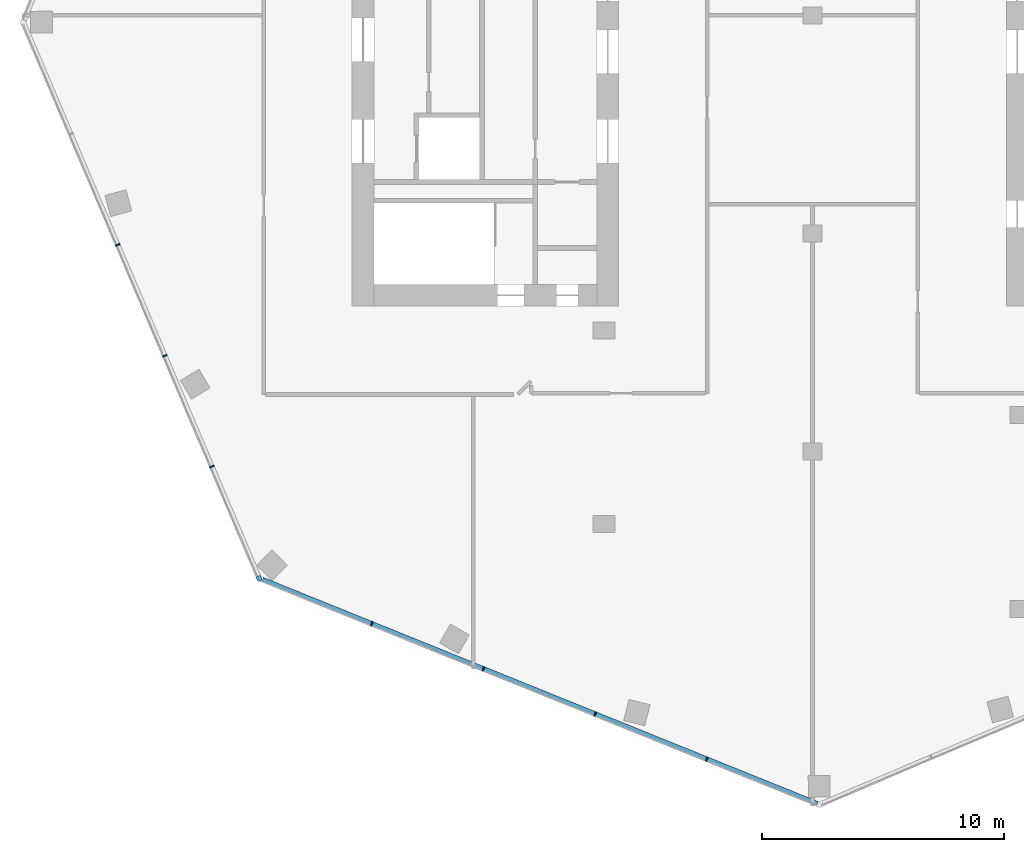
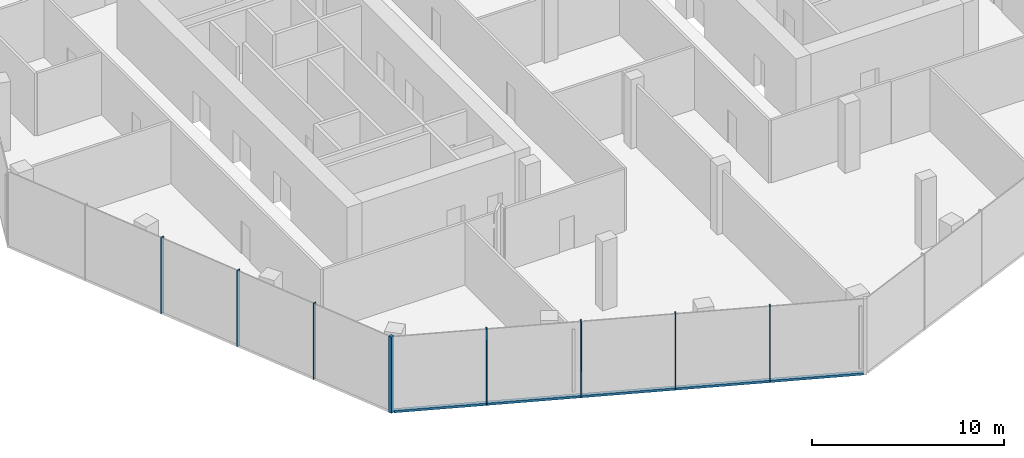
# One storey, part 2 of 15: 9 members, 2 elements without a shape of their own.
"""IFC4 building model written with IfcOpenShell, lengths in metres."""

import ifcopenshell
import ifcopenshell.guid

model = None  # the IFC model being written
_history = None  # IfcOwnerHistory: only IFC2X3 demands one
_inside = {}  # id of a spatial element -> (the spatial element, [elements in it])
_under = {}  # id of a project, library or spatial element -> (it, [spatial elements below it])
_declared = {}  # id of a project -> (the project, [libraries it declares])
_typed = {}  # id of a type object -> (the type object, [elements of that type])
_made_of = {}  # id of a material, layer set ... -> (it, [elements and type objects made of it])


def new_model(schema):
    """Start an empty IFC model of exactly this schema.

    Asked for "IFC4X3", IfcOpenShell would pick the latest addendum, in which some entities
    have other attributes; the version numbers below select the first issue.
    IFC2X3 requires an IfcOwnerHistory on every rooted entity: one is made here for all.
    """
    global model, _history
    if schema == "IFC4X3":
        model = ifcopenshell.file(schema_version=(4, 3, 0, 0))
    else:
        model = ifcopenshell.file(schema=schema)
    _inside.clear()
    _under.clear()
    _declared.clear()
    _typed.clear()
    _made_of.clear()
    _history = None
    if model.schema == "IFC2X3":
        org = make("IfcOrganization", Name="unknown")
        user = make(
            "IfcPersonAndOrganization",
            ThePerson=make("IfcPerson", FamilyName="unknown"),
            TheOrganization=org,
        )
        app = make(
            "IfcApplication",
            ApplicationDeveloper=org,
            Version="unknown",
            ApplicationFullName="unknown",
            ApplicationIdentifier="unknown",
        )
        _history = make(
            "IfcOwnerHistory",
            OwningUser=user,
            OwningApplication=app,
            ChangeAction="ADDED",
            CreationDate=0,
        )
    return model


def make(cls, **values):
    """One entity of the class cls with the attributes given. An attribute that is None is left unset."""
    return model.create_entity(
        cls, **{name: value for name, value in values.items() if value is not None}
    )


def rooted(cls, **values):
    """An entity with a GlobalId (a new one), such as an element, a storey or a relation."""
    return make(cls, GlobalId=ifcopenshell.guid.new(), OwnerHistory=_history, **values)


def si_unit(unit_type, name, prefix=None):
    """IfcSIUnit, for example si_unit("LENGTHUNIT", "METRE", prefix="MILLI")."""
    return make("IfcSIUnit", UnitType=unit_type, Prefix=prefix, Name=name)


def assignment(units):
    """IfcUnitAssignment: the units of a project."""
    return None if units is None else make("IfcUnitAssignment", Units=units)


def point(xyz):
    """IfcCartesianPoint."""
    return None if xyz is None else make("IfcCartesianPoint", Coordinates=xyz)


def direction(xyz):
    """IfcDirection."""
    return None if xyz is None else make("IfcDirection", DirectionRatios=xyz)


def frame(location, z_axis=None, x_axis=None):
    """IfcAxis2Placement3D, a coordinate frame: its origin and axes. An axis left out is left unset."""
    return make(
        "IfcAxis2Placement3D",
        Location=point(location),
        Axis=direction(z_axis),
        RefDirection=direction(x_axis),
    )


def frame_2d(location, x_axis=None):
    """IfcAxis2Placement2D, a coordinate frame in the plane: its origin and x axis."""
    return make(
        "IfcAxis2Placement2D", Location=point(location), RefDirection=direction(x_axis)
    )


def origin():
    """The frame at (0, 0, 0) with its axes left unset."""
    return frame((0.0, 0.0, 0.0))


def origin_2d():
    """The frame at (0, 0) in the plane with its x axis left unset."""
    return frame_2d((0.0, 0.0))


def place(relative_to, where):
    """IfcLocalPlacement: puts the frame where relative to a parent placement (None: the world)."""
    return make(
        "IfcLocalPlacement", PlacementRelTo=relative_to, RelativePlacement=where
    )


def context(
    kind, dimensions, precision=None, world=None, true_north=None, identifier=None
):
    """IfcGeometricRepresentationContext, for example the 3D "Model" context."""
    return make(
        "IfcGeometricRepresentationContext",
        ContextIdentifier=identifier,
        ContextType=kind,
        CoordinateSpaceDimension=dimensions,
        Precision=precision,
        WorldCoordinateSystem=world,
        TrueNorth=true_north,
    )


def subcontext(parent, identifier, kind, view, scale=None):
    """IfcGeometricRepresentationSubContext, for example "Body" below "Model"."""
    return make(
        "IfcGeometricRepresentationSubContext",
        ContextIdentifier=identifier,
        ContextType=kind,
        ParentContext=parent,
        TargetScale=scale,
        TargetView=view,
    )


def project(units=None, contexts=None):
    """IfcProject with its units and contexts."""
    return rooted(
        "IfcProject",
        Name="project",
        RepresentationContexts=contexts,
        UnitsInContext=assignment(units),
    )


def spatial(cls, under=None, at=None, **own):
    """A site, building, storey or space (cls), placed at a placement, below another one or the project."""
    s = rooted(cls, ObjectPlacement=at, **own)
    if under is not None:
        _under.setdefault(under.id(), (under, []))[1].append(s)
    return s


def profile(cls, at=None, kind="AREA", **sizes):
    """A parametric profile (cls). Its sizes go by their IFC names, for example OverallWidth=200.0."""
    return make(cls, ProfileType=kind, Position=at, **sizes)


def rectangle(**sizes):
    """IfcRectangleProfileDef."""
    return profile("IfcRectangleProfileDef", **sizes)


def extrude(swept, where, along, depth):
    """IfcExtrudedAreaSolid: the profile swept, set in the frame where, extruded along a direction by depth."""
    return make(
        "IfcExtrudedAreaSolid",
        SweptArea=swept,
        Position=where,
        ExtrudedDirection=direction(along),
        Depth=depth,
    )


def shape(context_of_items, identifier, shape_type, items):
    """IfcShapeRepresentation: the items that make up one representation, for example the "Body"."""
    return make(
        "IfcShapeRepresentation",
        ContextOfItems=context_of_items,
        RepresentationIdentifier=identifier,
        RepresentationType=shape_type,
        Items=items,
    )


def material(Name=None, Category=None):
    """IfcMaterial."""
    return make("IfcMaterial", Name=Name, Category=Category)


def material_profile(
    of_material, cross_section, Name=None, Category=None, Priority=None
):
    """IfcMaterialProfile: a cross section and its material."""
    return make(
        "IfcMaterialProfile",
        Name=Name,
        Material=of_material,
        Profile=cross_section,
        Priority=Priority,
        Category=Category,
    )


def profile_set(profiles, Name=None, composite=None):
    """IfcMaterialProfileSet."""
    return make(
        "IfcMaterialProfileSet",
        Name=Name,
        MaterialProfiles=profiles,
        CompositeProfile=composite,
    )


def made_of(thing, what):
    """Note that an element or type object is made of a material, layer set ...; save() writes the relation."""
    if what is not None:
        _made_of.setdefault(what.id(), (what, []))[1].append(thing)
    return thing


def type_object(cls, material=None, **own):
    """A type object (cls), such as IfcWallType, which elements share."""
    return made_of(rooted(cls, **own), material)


def element(
    cls,
    number,
    at=None,
    inside=None,
    cuts=None,
    type_object=None,
    material=None,
    context=None,
    identifier="Body",
    shape_type=None,
    held_by="IfcProductDefinitionShape",
    body=None,
    shapes=None,
    **own,
):
    """One element of the class cls, such as IfcWall. Its Tag is "e" and its number.

    at: its placement. inside: the storey or other place that contains it. cuts: it is an
    opening in that element (IfcRelVoidsElement). A single representation is given by context,
    identifier, shape_type and body (its items); several are given by shapes. held_by: the class
    of the entity that holds the representations. save() writes the other relations.
    """
    e = rooted(cls, Tag="e%d" % number, ObjectPlacement=at, **own)
    if body is not None:
        shapes = [shape(context, identifier, shape_type, body)]
    if shapes is not None:
        e.Representation = make(held_by, Representations=shapes)
    if inside is not None:
        _inside.setdefault(inside.id(), (inside, []))[1].append(e)
    if cuts is not None:
        rooted(
            "IfcRelVoidsElement", RelatingBuildingElement=cuts, RelatedOpeningElement=e
        )
    if type_object is not None:
        _typed.setdefault(type_object.id(), (type_object, []))[1].append(e)
    return made_of(e, material)


def aggregate(whole, parts):
    """IfcRelAggregates: a whole, such as a stair, and the parts it consists of."""
    return rooted("IfcRelAggregates", RelatingObject=whole, RelatedObjects=parts)


def save(model, path):
    """Write the relations noted so far, then the file.

    IfcRelAggregates (storeys below a building ...), IfcRelContainedInSpatialStructure (elements
    in a storey), IfcRelDefinesByType, IfcRelAssociatesMaterial and IfcRelDeclares: one each for
    every whole, place, type object, material and project.
    """
    for whole, parts in _under.values():
        aggregate(whole, parts)
    for where, things in _inside.values():
        rooted(
            "IfcRelContainedInSpatialStructure",
            RelatedElements=things,
            RelatingStructure=where,
        )
    for kind, things in _typed.values():
        rooted("IfcRelDefinesByType", RelatedObjects=things, RelatingType=kind)
    for what, things in _made_of.values():
        rooted("IfcRelAssociatesMaterial", RelatedObjects=things, RelatingMaterial=what)
    for by, libraries in _declared.values():
        rooted("IfcRelDeclares", RelatingContext=by, RelatedDefinitions=libraries)
    model.write(path)


model = new_model("IFC4")

# Units and contexts
model_context = context("Model", 3, precision=1e-05, world=origin(), true_north=direction((0.0, 1.0)))
body_context = subcontext(model_context, "Body", "Model", "MODEL_VIEW")
ifc_project = project(units=[si_unit("LENGTHUNIT", "METRE"), si_unit("AREAUNIT", "SQUARE_METRE"), si_unit("VOLUMEUNIT", "CUBIC_METRE"), si_unit("PLANEANGLEUNIT", "RADIAN"), si_unit("MASSUNIT", "GRAM", prefix="KILO")], contexts=[model_context])

# Site, building, storey
site_placement = place(None, origin())
site = spatial("IfcSite", under=ifc_project, at=site_placement, CompositionType="ELEMENT")
building_placement = place(site_placement, origin())
building = spatial("IfcBuilding", under=site, at=building_placement, Name="Orlundy Tower", CompositionType="ELEMENT")
storey_placement = place(building_placement, frame((0.0, 0.0, 299.89990234375)))
storey = spatial("IfcBuildingStorey", under=building, at=storey_placement, Name="L80", CompositionType="ELEMENT", Elevation=299.89990234375)

# Curtain wall, member
ifc_material_1 = material(Name="Aluminium bronze anodised", Category="aluminium")
curtain_wall_type = type_object("IfcCurtainWallType", Name="CW4 wall", PredefinedType="NOTDEFINED", material=ifc_material_1)
curtain_wall_1_placement = place(storey_placement, origin())
curtain_wall_1 = element("IfcCurtainWall", 1, at=curtain_wall_1_placement, inside=storey, type_object=curtain_wall_type, Name="CW4 run 04", PredefinedType="NOTDEFINED")
ifc_material_2 = material(Name="Aluminium bronze anodised", Category="aluminium")
ifc_material_profile_1 = material_profile(ifc_material_2, rectangle(XDim=0.199951171875, YDim=0.199951171875, at=origin_2d()), Name="CW4 corner post 200x200")
ifc_profile_set_1 = profile_set([ifc_material_profile_1], Name="Aluminium bronze anodised")
member_type_1 = type_object("IfcMemberType", Name="CW4 corner post 200x200", PredefinedType="MULLION", material=ifc_profile_set_1)
member_1_placement = place(storey_placement, frame((-22.8359375, -23.23828125, -0.449951171875), z_axis=(0.0, 0.0, 1.0), x_axis=(-0.920506804854, -0.390726531244, 0.0)))
member_1 = element("IfcMember", 2, at=member_1_placement, type_object=member_type_1, Name="CW4 mullion 21", PredefinedType="MULLION", context=body_context, shape_type="SweptSolid", body=[
    extrude(rectangle(XDim=0.199951171875, YDim=0.199951171875, at=origin_2d()), origin(), (0.0, 0.0, 1.0), 4.85009765625),
])

# Curtain wall, members
curtain_wall_2_placement = place(storey_placement, origin())
curtain_wall_2 = element("IfcCurtainWall", 3, at=curtain_wall_2_placement, inside=storey, type_object=curtain_wall_type, Name="CW4 run 03", PredefinedType="NOTDEFINED")
ifc_material_3 = material(Name="Aluminium bronze anodised", Category="aluminium")
ifc_material_profile_2 = material_profile(ifc_material_3, rectangle(XDim=0.199951171875, YDim=0.06005859375, at=origin_2d()), Name="CW4 mullion 60x200")
ifc_profile_set_2 = profile_set([ifc_material_profile_2], Name="Aluminium bronze anodised")
member_type_2 = type_object("IfcMemberType", Name="CW4 mullion 60x200", PredefinedType="MULLION", material=ifc_profile_set_2)
member_2_placement = place(storey_placement, frame((-4.363037109375, -30.70166015625, -0.449951171875), z_axis=(0.0, 0.0, 1.0), x_axis=(-0.374607412456, -0.927183523653, 0.0)))
member_2 = element("IfcMember", 4, at=member_2_placement, type_object=member_type_2, Name="CW4 mullion 17", PredefinedType="MULLION", context=body_context, shape_type="SweptSolid", body=[
    extrude(rectangle(XDim=0.199951171875, YDim=0.06005859375, at=origin_2d()), origin(), (0.0, 0.0, 1.0), 4.85009765625),
])
member_3_placement = place(storey_placement, frame((-8.9716796875, -28.839599609375, -0.449951171875), z_axis=(0.0, 0.0, 1.0), x_axis=(-0.374607412456, -0.927183523653, 0.0)))
member_3 = element("IfcMember", 5, at=member_3_placement, type_object=member_type_2, Name="CW4 mullion 18", PredefinedType="MULLION", context=body_context, shape_type="SweptSolid", body=[
    extrude(rectangle(XDim=0.199951171875, YDim=0.06005859375, at=origin_2d()), origin(), (0.0, 0.0, 1.0), 4.85009765625),
])
member_4_placement = place(storey_placement, frame((-13.580322265625, -26.977783203125, -0.449951171875), z_axis=(0.0, 0.0, 1.0), x_axis=(-0.374607412456, -0.927183523653, 0.0)))
member_4 = element("IfcMember", 6, at=member_4_placement, type_object=member_type_2, Name="CW4 mullion 19", PredefinedType="MULLION", context=body_context, shape_type="SweptSolid", body=[
    extrude(rectangle(XDim=0.199951171875, YDim=0.06005859375, at=origin_2d()), origin(), (0.0, 0.0, 1.0), 4.85009765625),
])
member_5_placement = place(storey_placement, frame((-18.18896484375, -25.11572265625, -0.449951171875), z_axis=(0.0, 0.0, 1.0), x_axis=(-0.374607412456, -0.927183523653, 0.0)))
member_5 = element("IfcMember", 7, at=member_5_placement, type_object=member_type_2, Name="CW4 mullion 20", PredefinedType="MULLION", context=body_context, shape_type="SweptSolid", body=[
    extrude(rectangle(XDim=0.199951171875, YDim=0.06005859375, at=origin_2d()), origin(), (0.0, 0.0, 1.0), 4.85009765625),
])

# Member
member_6_placement = place(storey_placement, frame((-24.794189453125, -18.62451171875, -0.449951171875), z_axis=(0.0, 0.0, 1.0), x_axis=(-0.920506804854, -0.390726531244, 0.0)))
member_6 = element("IfcMember", 8, at=member_6_placement, type_object=member_type_2, Name="CW4 mullion 22", PredefinedType="MULLION", context=body_context, shape_type="SweptSolid", body=[
    extrude(rectangle(XDim=0.199951171875, YDim=0.06005859375, at=origin_2d()), origin(), (0.0, 0.0, 1.0), 4.85009765625),
])

member_7_placement = place(storey_placement, frame((-26.736572265625, -14.048828125, -0.449951171875), z_axis=(0.0, 0.0, 1.0), x_axis=(-0.920506804854, -0.390726531244, 0.0)))
member_7 = element("IfcMember", 9, at=member_7_placement, type_object=member_type_2, Name="CW4 mullion 23", PredefinedType="MULLION", context=body_context, shape_type="SweptSolid", body=[
    extrude(rectangle(XDim=0.199951171875, YDim=0.06005859375, at=origin_2d()), origin(), (0.0, 0.0, 1.0), 4.85009765625),
])

member_8_placement = place(storey_placement, frame((-28.6787109375, -9.473388671875, -0.449951171875), z_axis=(0.0, 0.0, 1.0), x_axis=(-0.920506804854, -0.390726531244, 0.0)))
member_8 = element("IfcMember", 10, at=member_8_placement, type_object=member_type_2, Name="CW4 mullion 24", PredefinedType="MULLION", context=body_context, shape_type="SweptSolid", body=[
    extrude(rectangle(XDim=0.199951171875, YDim=0.06005859375, at=origin_2d()), origin(), (0.0, 0.0, 1.0), 4.85009765625),
])

aggregate(curtain_wall_1, [member_1, member_6, member_7, member_8])

ifc_material_4 = material(Name="Aluminium bronze anodised", Category="aluminium")
ifc_material_profile_3 = material_profile(ifc_material_4, rectangle(XDim=0.199951171875, YDim=0.14990234375, at=origin_2d()), Name="CW4 transom 200x150")
ifc_profile_set_3 = profile_set([ifc_material_profile_3], Name="Aluminium bronze anodised")
member_type_3 = type_object("IfcMemberType", Name="CW4 transom 200x150", PredefinedType="USERDEFINED", material=ifc_profile_set_3)
member_9_placement = place(storey_placement, frame((0.191162109375, -32.541748046875, -0.375), z_axis=(-0.927185185238, 0.374603299873, 0.0), x_axis=(-0.374603299873, -0.927185185238, 0.0)))
member_9 = element("IfcMember", 11, at=member_9_placement, type_object=member_type_3, Name="CW4 transom", ObjectType="TRANSOM", PredefinedType="USERDEFINED", context=body_context, shape_type="SweptSolid", body=[
    extrude(rectangle(XDim=0.199951171875, YDim=0.14990234375, at=origin_2d()), origin(), (0.0, 0.0, 1.0), 24.694091796875),
])

aggregate(curtain_wall_2, [member_2, member_3, member_4, member_5, member_9])

save(model, "model.ifc")
